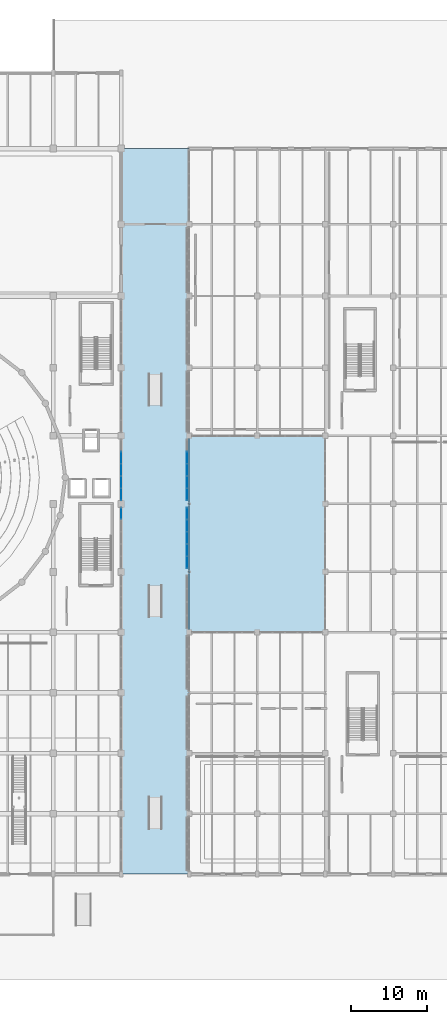
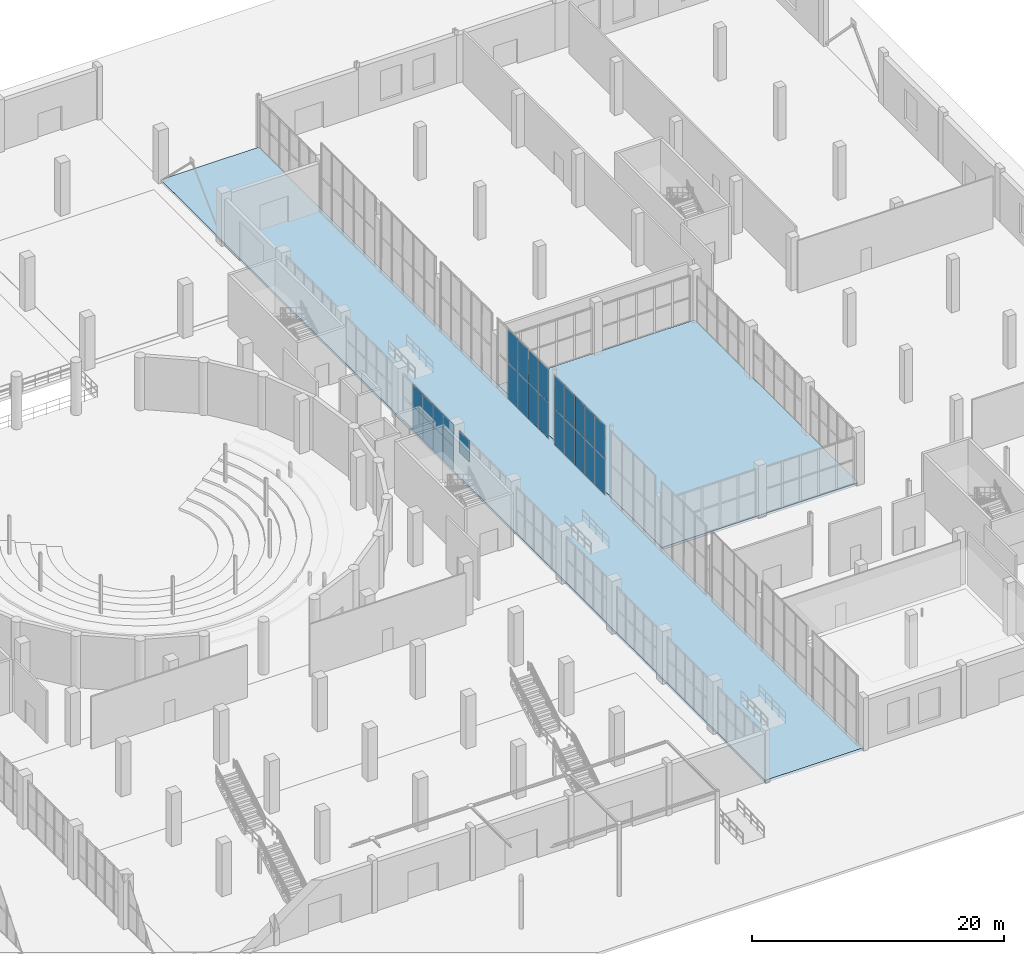
# One storey, part 70 of 103: 27 plates, 2 slabs, 4 elements without a shape of their own.
"""IFC4 building model written with IfcOpenShell, lengths in metres."""

from ifc_helpers import new_model, si_unit, direction, frame, origin, origin_2d, place, context, subcontext, project, spatial, polyline, rectangle, outline, extrude, material, layer, layer_set, type_object, element, aggregate, save


model = new_model("IFC4")

# Units and contexts
model_context = context("Model", 3, precision=1e-05, world=origin(), true_north=direction((0.0, 1.0)))
body_context = subcontext(model_context, "Body", "Model", "MODEL_VIEW")
ifc_project = project(units=[si_unit("LENGTHUNIT", "METRE"), si_unit("AREAUNIT", "SQUARE_METRE"), si_unit("VOLUMEUNIT", "CUBIC_METRE"), si_unit("PLANEANGLEUNIT", "RADIAN"), si_unit("MASSUNIT", "GRAM", prefix="KILO")], contexts=[model_context])

# Site, building, storey
site_placement = place(None, origin())
site = spatial("IfcSite", under=ifc_project, at=site_placement, CompositionType="ELEMENT")
building_placement = place(site_placement, origin())
building = spatial("IfcBuilding", under=site, at=building_placement, Name="Marnock Terrace Opera House", CompositionType="ELEMENT")
storey_placement = place(building_placement, origin())
storey = spatial("IfcBuildingStorey", under=building, at=storey_placement, Name="L00", CompositionType="ELEMENT", Elevation=0.0)

# Curtain wall, plate
ifc_material_1 = material(Name="Anodised architectural bronze aluminium framing", Category="aluminium")
ifc_layer_1 = layer(ifc_material_1, 0.159912109375)
ifc_layer_set_1 = layer_set([ifc_layer_1], Name="Anodised architectural bronze aluminium framing")
curtain_wall_type_1 = type_object("IfcCurtainWallType", Name="CW-FOYER-90x51", PredefinedType="NOTDEFINED", material=ifc_layer_set_1)
curtain_wall_1_placement = place(storey_placement, origin())
curtain_wall_1 = element("IfcCurtainWall", 1, at=curtain_wall_1_placement, inside=storey, type_object=curtain_wall_type_1, Name="L00 glazed Beaux-Arts colonnade curtain wall CW-V1E-L00-06", PredefinedType="NOTDEFINED")
ifc_material_2 = material(Name="Double-glazed acoustic low-E laminated glass", Category="glass")
ifc_layer_2 = layer(ifc_material_2, 0.028076171875)
ifc_layer_set_2 = layer_set([ifc_layer_2], Name="Double-glazed acoustic low-E laminated glass")
plate_type = type_object("IfcPlateType", Name="CWP-GLZ-28", PredefinedType="CURTAIN_PANEL", material=ifc_layer_set_2)
plate_1_placement = place(storey_placement, frame((109.0, 55.728271484375, 2.36376953125), z_axis=(0.0, 0.0, 1.0), x_axis=(0.0, 1.0, 0.0)))
plate_1 = element("IfcPlate", 2, at=plate_1_placement, type_object=plate_type, Name="CW-31 panel 5.2", PredefinedType="CURTAIN_PANEL", context=body_context, shape_type="SweptSolid", body=[
    extrude(rectangle(XDim=1.531494140625, YDim=0.028076171875, at=origin_2d()), origin(), (0.0, 0.0, 1.0), 2.064208984375),
])
aggregate(curtain_wall_1, [plate_1])

# Curtain wall, plates
curtain_wall_2_placement = place(storey_placement, origin())
curtain_wall_2 = element("IfcCurtainWall", 3, at=curtain_wall_2_placement, inside=storey, type_object=curtain_wall_type_1, Name="L00 glazed Beaux-Arts colonnade curtain wall CW-V1E-L00-07", PredefinedType="NOTDEFINED")
plate_2_placement = place(storey_placement, frame((109.0, 58.271728515625, 0.06005859375), z_axis=(0.0, 0.0, 1.0), x_axis=(0.0, 1.0, 0.0)))
plate_2 = element("IfcPlate", 4, at=plate_2_placement, type_object=plate_type, Name="CW-31 panel 1.1", PredefinedType="CURTAIN_PANEL", context=body_context, shape_type="SweptSolid", body=[
    extrude(rectangle(XDim=1.531494140625, YDim=0.028076171875, at=origin_2d()), origin(), (0.0, 0.0, 1.0), 2.2822265625),
])
plate_3_placement = place(storey_placement, frame((109.0, 58.271728515625, 2.40234375), z_axis=(0.0, 0.0, 1.0), x_axis=(0.0, 1.0, 0.0)))
plate_3 = element("IfcPlate", 5, at=plate_3_placement, type_object=plate_type, Name="CW-31 panel 1.2", PredefinedType="CURTAIN_PANEL", context=body_context, shape_type="SweptSolid", body=[
    extrude(rectangle(XDim=1.531494140625, YDim=0.028076171875, at=origin_2d()), origin(), (0.0, 0.0, 1.0), 2.099853515625),
])
plate_4_placement = place(storey_placement, frame((109.0, 59.87841796875, 0.06005859375), z_axis=(0.0, 0.0, 1.0), x_axis=(0.0, 1.0, 0.0)))
plate_4 = element("IfcPlate", 6, at=plate_4_placement, type_object=plate_type, Name="CW-31 panel 2.1", PredefinedType="CURTAIN_PANEL", context=body_context, shape_type="SweptSolid", body=[
    extrude(rectangle(XDim=1.5615234375, YDim=0.028076171875, at=origin_2d()), origin(), (0.0, 0.0, 1.0), 2.2822265625),
])
plate_5_placement = place(storey_placement, frame((109.0, 59.87841796875, 2.40234375), z_axis=(0.0, 0.0, 1.0), x_axis=(0.0, 1.0, 0.0)))
plate_5 = element("IfcPlate", 7, at=plate_5_placement, type_object=plate_type, Name="CW-31 panel 2.2", PredefinedType="CURTAIN_PANEL", context=body_context, shape_type="SweptSolid", body=[
    extrude(rectangle(XDim=1.5615234375, YDim=0.028076171875, at=origin_2d()), origin(), (0.0, 0.0, 1.0), 2.099853515625),
])
plate_6_placement = place(storey_placement, frame((109.0, 61.5, 0.06005859375), z_axis=(0.0, 0.0, 1.0), x_axis=(0.0, 1.0, 0.0)))
plate_6 = element("IfcPlate", 8, at=plate_6_placement, type_object=plate_type, Name="CW-31 panel 3.1", PredefinedType="CURTAIN_PANEL", context=body_context, shape_type="SweptSolid", body=[
    extrude(rectangle(XDim=1.5615234375, YDim=0.028076171875, at=origin_2d()), origin(), (0.0, 0.0, 1.0), 2.2822265625),
])
plate_7_placement = place(storey_placement, frame((109.0, 61.5, 2.40234375), z_axis=(0.0, 0.0, 1.0), x_axis=(0.0, 1.0, 0.0)))
plate_7 = element("IfcPlate", 9, at=plate_7_placement, type_object=plate_type, Name="CW-31 panel 3.2", PredefinedType="CURTAIN_PANEL", context=body_context, shape_type="SweptSolid", body=[
    extrude(rectangle(XDim=1.5615234375, YDim=0.028076171875, at=origin_2d()), origin(), (0.0, 0.0, 1.0), 2.099853515625),
])
plate_8_placement = place(storey_placement, frame((109.0, 63.12158203125, 0.06005859375), z_axis=(0.0, 0.0, 1.0), x_axis=(0.0, 1.0, 0.0)))
plate_8 = element("IfcPlate", 10, at=plate_8_placement, type_object=plate_type, Name="CW-31 panel 4.1", PredefinedType="CURTAIN_PANEL", context=body_context, shape_type="SweptSolid", body=[
    extrude(rectangle(XDim=1.5615234375, YDim=0.028076171875, at=origin_2d()), origin(), (0.0, 0.0, 1.0), 2.2822265625),
])
plate_9_placement = place(storey_placement, frame((109.0, 63.12158203125, 2.40234375), z_axis=(0.0, 0.0, 1.0), x_axis=(0.0, 1.0, 0.0)))
plate_9 = element("IfcPlate", 11, at=plate_9_placement, type_object=plate_type, Name="CW-31 panel 4.2", PredefinedType="CURTAIN_PANEL", context=body_context, shape_type="SweptSolid", body=[
    extrude(rectangle(XDim=1.5615234375, YDim=0.028076171875, at=origin_2d()), origin(), (0.0, 0.0, 1.0), 2.099853515625),
])
aggregate(curtain_wall_2, [plate_2, plate_3, plate_4, plate_5, plate_6, plate_7, plate_8, plate_9])

ifc_layer_3 = layer(ifc_material_1, 0.159912109375)
ifc_layer_set_3 = layer_set([ifc_layer_3], Name="Anodised architectural bronze aluminium framing")
curtain_wall_type_2 = type_object("IfcCurtainWallType", Name="CW-PASSAGE-81x68", PredefinedType="NOTDEFINED", material=ifc_layer_set_3)
curtain_wall_3_placement = place(storey_placement, origin())
curtain_wall_3 = element("IfcCurtainWall", 12, at=curtain_wall_3_placement, inside=storey, type_object=curtain_wall_type_2, Name="L00 glazed Beaux-Arts colonnade curtain wall CW-PASSAGE-L00-06", PredefinedType="NOTDEFINED")
plate_10_placement = place(storey_placement, frame((117.699951171875, 49.27490234375, 0.06005859375), z_axis=(0.0, 0.0, 1.0), x_axis=(0.0, 1.0, 0.0)))
plate_10 = element("IfcPlate", 13, at=plate_10_placement, type_object=plate_type, Name="CW-65 panel 1.1", PredefinedType="CURTAIN_PANEL", context=body_context, shape_type="SweptSolid", body=[
    extrude(rectangle(XDim=1.530029296875, YDim=0.028076171875, at=origin_2d()), origin(), (0.0, 0.0, 1.0), 3.471923828125),
])
plate_11_placement = place(storey_placement, frame((117.699951171875, 49.27490234375, 3.591796875), z_axis=(0.0, 0.0, 1.0), x_axis=(0.0, 1.0, 0.0)))
plate_11 = element("IfcPlate", 14, at=plate_11_placement, type_object=plate_type, Name="CW-65 panel 1.2", PredefinedType="CURTAIN_PANEL", context=body_context, shape_type="SweptSolid", body=[
    extrude(rectangle(XDim=1.530029296875, YDim=0.028076171875, at=origin_2d()), origin(), (0.0, 0.0, 1.0), 3.197998046875),
])
plate_12_placement = place(storey_placement, frame((117.699951171875, 50.8798828125, 0.06005859375), z_axis=(0.0, 0.0, 1.0), x_axis=(0.0, 1.0, 0.0)))
plate_12 = element("IfcPlate", 15, at=plate_12_placement, type_object=plate_type, Name="CW-65 panel 2.1", PredefinedType="CURTAIN_PANEL", context=body_context, shape_type="SweptSolid", body=[
    extrude(rectangle(XDim=1.56005859375, YDim=0.028076171875, at=origin_2d()), origin(), (0.0, 0.0, 1.0), 3.471923828125),
])
plate_13_placement = place(storey_placement, frame((117.699951171875, 50.8798828125, 3.591796875), z_axis=(0.0, 0.0, 1.0), x_axis=(0.0, 1.0, 0.0)))
plate_13 = element("IfcPlate", 16, at=plate_13_placement, type_object=plate_type, Name="CW-65 panel 2.2", PredefinedType="CURTAIN_PANEL", context=body_context, shape_type="SweptSolid", body=[
    extrude(rectangle(XDim=1.56005859375, YDim=0.028076171875, at=origin_2d()), origin(), (0.0, 0.0, 1.0), 3.197998046875),
])
plate_14_placement = place(storey_placement, frame((117.699951171875, 52.5, 0.06005859375), z_axis=(0.0, 0.0, 1.0), x_axis=(0.0, 1.0, 0.0)))
plate_14 = element("IfcPlate", 17, at=plate_14_placement, type_object=plate_type, Name="CW-65 panel 3.1", PredefinedType="CURTAIN_PANEL", context=body_context, shape_type="SweptSolid", body=[
    extrude(rectangle(XDim=1.56005859375, YDim=0.028076171875, at=origin_2d()), origin(), (0.0, 0.0, 1.0), 3.471923828125),
])
plate_15_placement = place(storey_placement, frame((117.699951171875, 52.5, 3.591796875), z_axis=(0.0, 0.0, 1.0), x_axis=(0.0, 1.0, 0.0)))
plate_15 = element("IfcPlate", 18, at=plate_15_placement, type_object=plate_type, Name="CW-65 panel 3.2", PredefinedType="CURTAIN_PANEL", context=body_context, shape_type="SweptSolid", body=[
    extrude(rectangle(XDim=1.56005859375, YDim=0.028076171875, at=origin_2d()), origin(), (0.0, 0.0, 1.0), 3.197998046875),
])
plate_16_placement = place(storey_placement, frame((117.699951171875, 54.1201171875, 0.06005859375), z_axis=(0.0, 0.0, 1.0), x_axis=(0.0, 1.0, 0.0)))
plate_16 = element("IfcPlate", 19, at=plate_16_placement, type_object=plate_type, Name="CW-65 panel 4.1", PredefinedType="CURTAIN_PANEL", context=body_context, shape_type="SweptSolid", body=[
    extrude(rectangle(XDim=1.56005859375, YDim=0.028076171875, at=origin_2d()), origin(), (0.0, 0.0, 1.0), 3.471923828125),
])
plate_17_placement = place(storey_placement, frame((117.699951171875, 54.1201171875, 3.591796875), z_axis=(0.0, 0.0, 1.0), x_axis=(0.0, 1.0, 0.0)))
plate_17 = element("IfcPlate", 20, at=plate_17_placement, type_object=plate_type, Name="CW-65 panel 4.2", PredefinedType="CURTAIN_PANEL", context=body_context, shape_type="SweptSolid", body=[
    extrude(rectangle(XDim=1.56005859375, YDim=0.028076171875, at=origin_2d()), origin(), (0.0, 0.0, 1.0), 3.197998046875),
])
plate_18_placement = place(storey_placement, frame((117.699951171875, 55.72509765625, 0.06005859375), z_axis=(0.0, 0.0, 1.0), x_axis=(0.0, 1.0, 0.0)))
plate_18 = element("IfcPlate", 21, at=plate_18_placement, type_object=plate_type, Name="CW-65 panel 5.1", PredefinedType="CURTAIN_PANEL", context=body_context, shape_type="SweptSolid", body=[
    extrude(rectangle(XDim=1.530029296875, YDim=0.028076171875, at=origin_2d()), origin(), (0.0, 0.0, 1.0), 3.471923828125),
])
plate_19_placement = place(storey_placement, frame((117.699951171875, 55.72509765625, 3.591796875), z_axis=(0.0, 0.0, 1.0), x_axis=(0.0, 1.0, 0.0)))
plate_19 = element("IfcPlate", 22, at=plate_19_placement, type_object=plate_type, Name="CW-65 panel 5.2", PredefinedType="CURTAIN_PANEL", context=body_context, shape_type="SweptSolid", body=[
    extrude(rectangle(XDim=1.530029296875, YDim=0.028076171875, at=origin_2d()), origin(), (0.0, 0.0, 1.0), 3.197998046875),
])
aggregate(curtain_wall_3, [plate_10, plate_11, plate_12, plate_13, plate_14, plate_15, plate_16, plate_17, plate_18, plate_19])

curtain_wall_4_placement = place(storey_placement, origin())
curtain_wall_4 = element("IfcCurtainWall", 23, at=curtain_wall_4_placement, inside=storey, type_object=curtain_wall_type_2, Name="L00 glazed Beaux-Arts colonnade curtain wall CW-PASSAGE-L00-07", PredefinedType="NOTDEFINED")
plate_20_placement = place(storey_placement, frame((117.699951171875, 58.27490234375, 0.06005859375), z_axis=(0.0, 0.0, 1.0), x_axis=(0.0, 1.0, 0.0)))
plate_20 = element("IfcPlate", 24, at=plate_20_placement, type_object=plate_type, Name="CW-65 panel 1.1", PredefinedType="CURTAIN_PANEL", context=body_context, shape_type="SweptSolid", body=[
    extrude(rectangle(XDim=1.530029296875, YDim=0.028076171875, at=origin_2d()), origin(), (0.0, 0.0, 1.0), 3.471923828125),
])
plate_21_placement = place(storey_placement, frame((117.699951171875, 58.27490234375, 3.591796875), z_axis=(0.0, 0.0, 1.0), x_axis=(0.0, 1.0, 0.0)))
plate_21 = element("IfcPlate", 25, at=plate_21_placement, type_object=plate_type, Name="CW-65 panel 1.2", PredefinedType="CURTAIN_PANEL", context=body_context, shape_type="SweptSolid", body=[
    extrude(rectangle(XDim=1.530029296875, YDim=0.028076171875, at=origin_2d()), origin(), (0.0, 0.0, 1.0), 3.197998046875),
])
plate_22_placement = place(storey_placement, frame((117.699951171875, 59.8798828125, 0.06005859375), z_axis=(0.0, 0.0, 1.0), x_axis=(0.0, 1.0, 0.0)))
plate_22 = element("IfcPlate", 26, at=plate_22_placement, type_object=plate_type, Name="CW-65 panel 2.1", PredefinedType="CURTAIN_PANEL", context=body_context, shape_type="SweptSolid", body=[
    extrude(rectangle(XDim=1.56005859375, YDim=0.028076171875, at=origin_2d()), origin(), (0.0, 0.0, 1.0), 3.471923828125),
])
plate_23_placement = place(storey_placement, frame((117.699951171875, 59.8798828125, 3.591796875), z_axis=(0.0, 0.0, 1.0), x_axis=(0.0, 1.0, 0.0)))
plate_23 = element("IfcPlate", 27, at=plate_23_placement, type_object=plate_type, Name="CW-65 panel 2.2", PredefinedType="CURTAIN_PANEL", context=body_context, shape_type="SweptSolid", body=[
    extrude(rectangle(XDim=1.56005859375, YDim=0.028076171875, at=origin_2d()), origin(), (0.0, 0.0, 1.0), 3.197998046875),
])
plate_24_placement = place(storey_placement, frame((117.699951171875, 61.5, 0.06005859375), z_axis=(0.0, 0.0, 1.0), x_axis=(0.0, 1.0, 0.0)))
plate_24 = element("IfcPlate", 28, at=plate_24_placement, type_object=plate_type, Name="CW-65 panel 3.1", PredefinedType="CURTAIN_PANEL", context=body_context, shape_type="SweptSolid", body=[
    extrude(rectangle(XDim=1.56005859375, YDim=0.028076171875, at=origin_2d()), origin(), (0.0, 0.0, 1.0), 3.471923828125),
])
plate_25_placement = place(storey_placement, frame((117.699951171875, 61.5, 3.591796875), z_axis=(0.0, 0.0, 1.0), x_axis=(0.0, 1.0, 0.0)))
plate_25 = element("IfcPlate", 29, at=plate_25_placement, type_object=plate_type, Name="CW-65 panel 3.2", PredefinedType="CURTAIN_PANEL", context=body_context, shape_type="SweptSolid", body=[
    extrude(rectangle(XDim=1.56005859375, YDim=0.028076171875, at=origin_2d()), origin(), (0.0, 0.0, 1.0), 3.197998046875),
])
plate_26_placement = place(storey_placement, frame((117.699951171875, 63.1201171875, 0.06005859375), z_axis=(0.0, 0.0, 1.0), x_axis=(0.0, 1.0, 0.0)))
plate_26 = element("IfcPlate", 30, at=plate_26_placement, type_object=plate_type, Name="CW-65 panel 4.1", PredefinedType="CURTAIN_PANEL", context=body_context, shape_type="SweptSolid", body=[
    extrude(rectangle(XDim=1.56005859375, YDim=0.028076171875, at=origin_2d()), origin(), (0.0, 0.0, 1.0), 3.471923828125),
])
plate_27_placement = place(storey_placement, frame((117.699951171875, 63.1201171875, 3.591796875), z_axis=(0.0, 0.0, 1.0), x_axis=(0.0, 1.0, 0.0)))
plate_27 = element("IfcPlate", 31, at=plate_27_placement, type_object=plate_type, Name="CW-65 panel 4.2", PredefinedType="CURTAIN_PANEL", context=body_context, shape_type="SweptSolid", body=[
    extrude(rectangle(XDim=1.56005859375, YDim=0.028076171875, at=origin_2d()), origin(), (0.0, 0.0, 1.0), 3.197998046875),
])
aggregate(curtain_wall_4, [plate_20, plate_21, plate_22, plate_23, plate_24, plate_25, plate_26, plate_27])

# Slabs
ifc_material_3 = material(Name="Concrete N32 (f'c = 32 MPa)", Category="concrete")
ifc_layer_4 = layer(ifc_material_3, 0.239990234375)
ifc_layer_set_4 = layer_set([ifc_layer_4], Name="Concrete N32 (f'c = 32 MPa)")
slab_type = type_object("IfcSlabType", Name="SL-APRON-240", PredefinedType="BASESLAB", material=ifc_layer_set_4)
slab_1_placement = place(storey_placement, frame((0.0, 0.0, -0.239990234375)))
element("IfcSlab", 32, at=slab_1_placement, inside=storey, type_object=slab_type, Name="East Garden Court paved terrace", PredefinedType="BASESLAB", context=body_context, shape_type="SweptSolid", body=[
    extrude(outline(polyline([(118.0, 40.0), (136.0, 40.0), (136.0, 66.0), (118.0, 66.0), (118.0, 40.0)])), origin(), (0.0, 0.0, 1.0), 0.239990234375),
])
slab_2_placement = place(storey_placement, frame((0.0, 0.0, -0.239990234375)))
element("IfcSlab", 33, at=slab_2_placement, inside=storey, type_object=slab_type, Name="Covered Public Passage ground slab", PredefinedType="BASESLAB", context=body_context, shape_type="SweptSolid", body=[
    extrude(outline(polyline([(109.0, 8.0), (118.0, 8.0), (118.0, 104.0), (109.0, 104.0), (109.0, 8.0)])), origin(), (0.0, 0.0, 1.0), 0.239990234375),
])

save(model, "model.ifc")
